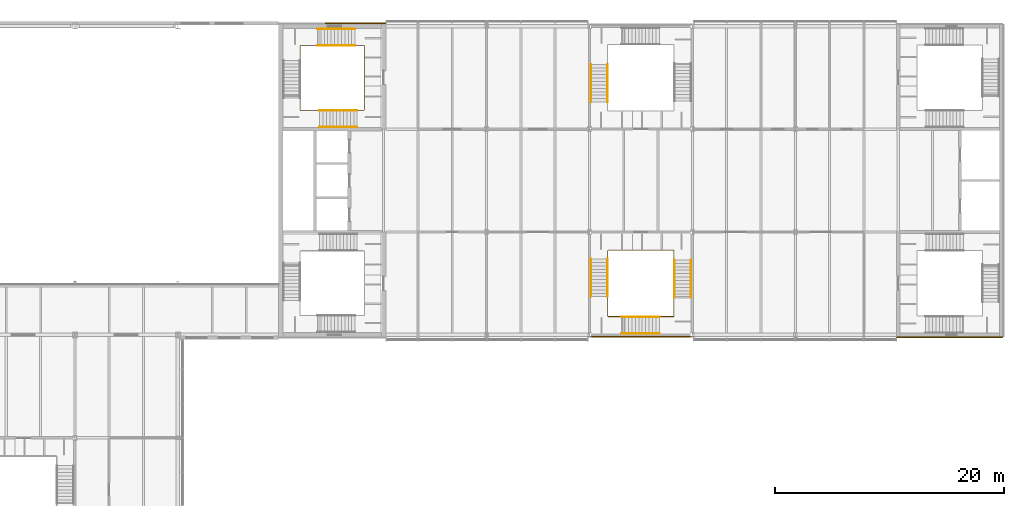
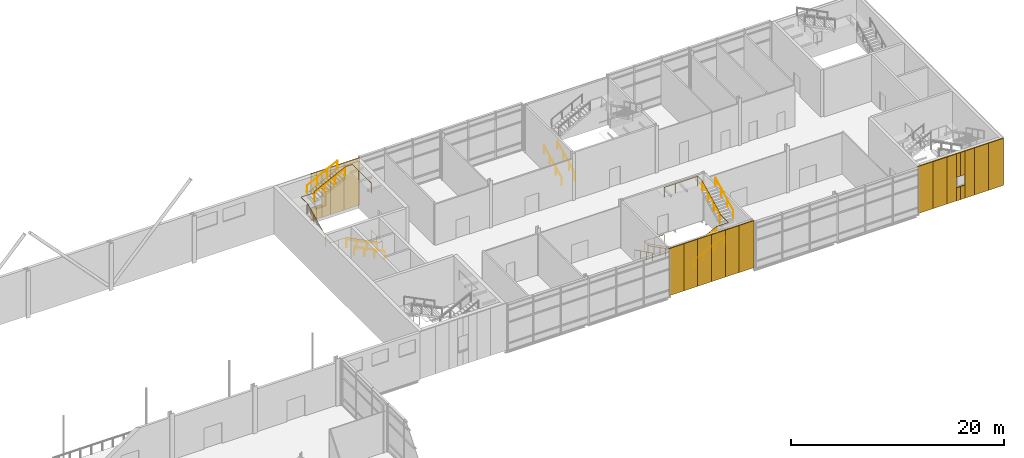
# One storey, part 54 of 56: 23 coverings, 14 railings.
"""IFC4 building model written with IfcOpenShell, lengths in metres."""

import ifcopenshell
import ifcopenshell.guid

model = None  # the IFC model being written
_history = None  # IfcOwnerHistory: only IFC2X3 demands one
_inside = {}  # id of a spatial element -> (the spatial element, [elements in it])
_under = {}  # id of a project, library or spatial element -> (it, [spatial elements below it])
_declared = {}  # id of a project -> (the project, [libraries it declares])
_typed = {}  # id of a type object -> (the type object, [elements of that type])
_made_of = {}  # id of a material, layer set ... -> (it, [elements and type objects made of it])


def new_model(schema):
    """Start an empty IFC model of exactly this schema.

    Asked for "IFC4X3", IfcOpenShell would pick the latest addendum, in which some entities
    have other attributes; the version numbers below select the first issue.
    IFC2X3 requires an IfcOwnerHistory on every rooted entity: one is made here for all.
    """
    global model, _history
    if schema == "IFC4X3":
        model = ifcopenshell.file(schema_version=(4, 3, 0, 0))
    else:
        model = ifcopenshell.file(schema=schema)
    _inside.clear()
    _under.clear()
    _declared.clear()
    _typed.clear()
    _made_of.clear()
    _history = None
    if model.schema == "IFC2X3":
        org = make("IfcOrganization", Name="unknown")
        user = make(
            "IfcPersonAndOrganization",
            ThePerson=make("IfcPerson", FamilyName="unknown"),
            TheOrganization=org,
        )
        app = make(
            "IfcApplication",
            ApplicationDeveloper=org,
            Version="unknown",
            ApplicationFullName="unknown",
            ApplicationIdentifier="unknown",
        )
        _history = make(
            "IfcOwnerHistory",
            OwningUser=user,
            OwningApplication=app,
            ChangeAction="ADDED",
            CreationDate=0,
        )
    return model


def make(cls, **values):
    """One entity of the class cls with the attributes given. An attribute that is None is left unset."""
    return model.create_entity(
        cls, **{name: value for name, value in values.items() if value is not None}
    )


def rooted(cls, **values):
    """An entity with a GlobalId (a new one), such as an element, a storey or a relation."""
    return make(cls, GlobalId=ifcopenshell.guid.new(), OwnerHistory=_history, **values)


def si_unit(unit_type, name, prefix=None):
    """IfcSIUnit, for example si_unit("LENGTHUNIT", "METRE", prefix="MILLI")."""
    return make("IfcSIUnit", UnitType=unit_type, Prefix=prefix, Name=name)


def assignment(units):
    """IfcUnitAssignment: the units of a project."""
    return None if units is None else make("IfcUnitAssignment", Units=units)


def point(xyz):
    """IfcCartesianPoint."""
    return None if xyz is None else make("IfcCartesianPoint", Coordinates=xyz)


def direction(xyz):
    """IfcDirection."""
    return None if xyz is None else make("IfcDirection", DirectionRatios=xyz)


def frame(location, z_axis=None, x_axis=None):
    """IfcAxis2Placement3D, a coordinate frame: its origin and axes. An axis left out is left unset."""
    return make(
        "IfcAxis2Placement3D",
        Location=point(location),
        Axis=direction(z_axis),
        RefDirection=direction(x_axis),
    )


def frame_2d(location, x_axis=None):
    """IfcAxis2Placement2D, a coordinate frame in the plane: its origin and x axis."""
    return make(
        "IfcAxis2Placement2D", Location=point(location), RefDirection=direction(x_axis)
    )


def origin():
    """The frame at (0, 0, 0) with its axes left unset."""
    return frame((0.0, 0.0, 0.0))


def origin_2d():
    """The frame at (0, 0) in the plane with its x axis left unset."""
    return frame_2d((0.0, 0.0))


def place(relative_to, where):
    """IfcLocalPlacement: puts the frame where relative to a parent placement (None: the world)."""
    return make(
        "IfcLocalPlacement", PlacementRelTo=relative_to, RelativePlacement=where
    )


def context(
    kind, dimensions, precision=None, world=None, true_north=None, identifier=None
):
    """IfcGeometricRepresentationContext, for example the 3D "Model" context."""
    return make(
        "IfcGeometricRepresentationContext",
        ContextIdentifier=identifier,
        ContextType=kind,
        CoordinateSpaceDimension=dimensions,
        Precision=precision,
        WorldCoordinateSystem=world,
        TrueNorth=true_north,
    )


def subcontext(parent, identifier, kind, view, scale=None):
    """IfcGeometricRepresentationSubContext, for example "Body" below "Model"."""
    return make(
        "IfcGeometricRepresentationSubContext",
        ContextIdentifier=identifier,
        ContextType=kind,
        ParentContext=parent,
        TargetScale=scale,
        TargetView=view,
    )


def project(units=None, contexts=None):
    """IfcProject with its units and contexts."""
    return rooted(
        "IfcProject",
        Name="project",
        RepresentationContexts=contexts,
        UnitsInContext=assignment(units),
    )


def spatial(cls, under=None, at=None, **own):
    """A site, building, storey or space (cls), placed at a placement, below another one or the project."""
    s = rooted(cls, ObjectPlacement=at, **own)
    if under is not None:
        _under.setdefault(under.id(), (under, []))[1].append(s)
    return s


def profile(cls, at=None, kind="AREA", **sizes):
    """A parametric profile (cls). Its sizes go by their IFC names, for example OverallWidth=200.0."""
    return make(cls, ProfileType=kind, Position=at, **sizes)


def rectangle(**sizes):
    """IfcRectangleProfileDef."""
    return profile("IfcRectangleProfileDef", **sizes)


def circle(**sizes):
    """IfcCircleProfileDef."""
    return profile("IfcCircleProfileDef", **sizes)


def extrude(swept, where, along, depth):
    """IfcExtrudedAreaSolid: the profile swept, set in the frame where, extruded along a direction by depth."""
    return make(
        "IfcExtrudedAreaSolid",
        SweptArea=swept,
        Position=where,
        ExtrudedDirection=direction(along),
        Depth=depth,
    )


def shape(context_of_items, identifier, shape_type, items):
    """IfcShapeRepresentation: the items that make up one representation, for example the "Body"."""
    return make(
        "IfcShapeRepresentation",
        ContextOfItems=context_of_items,
        RepresentationIdentifier=identifier,
        RepresentationType=shape_type,
        Items=items,
    )


def material(Name=None, Category=None):
    """IfcMaterial."""
    return make("IfcMaterial", Name=Name, Category=Category)


def layer(
    of_material, thickness, ventilated=None, Name=None, Category=None, Priority=None
):
    """IfcMaterialLayer: one layer of a wall or slab, of a material (None: an air gap)."""
    return make(
        "IfcMaterialLayer",
        Material=of_material,
        LayerThickness=thickness,
        IsVentilated=ventilated,
        Name=Name,
        Category=Category,
        Priority=Priority,
    )


def layer_set(layers, Name=None):
    """IfcMaterialLayerSet."""
    return make("IfcMaterialLayerSet", MaterialLayers=layers, LayerSetName=Name)


def made_of(thing, what):
    """Note that an element or type object is made of a material, layer set ...; save() writes the relation."""
    if what is not None:
        _made_of.setdefault(what.id(), (what, []))[1].append(thing)
    return thing


def type_object(cls, material=None, **own):
    """A type object (cls), such as IfcWallType, which elements share."""
    return made_of(rooted(cls, **own), material)


def element(
    cls,
    number,
    at=None,
    inside=None,
    cuts=None,
    type_object=None,
    material=None,
    context=None,
    identifier="Body",
    shape_type=None,
    held_by="IfcProductDefinitionShape",
    body=None,
    shapes=None,
    **own,
):
    """One element of the class cls, such as IfcWall. Its Tag is "e" and its number.

    at: its placement. inside: the storey or other place that contains it. cuts: it is an
    opening in that element (IfcRelVoidsElement). A single representation is given by context,
    identifier, shape_type and body (its items); several are given by shapes. held_by: the class
    of the entity that holds the representations. save() writes the other relations.
    """
    e = rooted(cls, Tag="e%d" % number, ObjectPlacement=at, **own)
    if body is not None:
        shapes = [shape(context, identifier, shape_type, body)]
    if shapes is not None:
        e.Representation = make(held_by, Representations=shapes)
    if inside is not None:
        _inside.setdefault(inside.id(), (inside, []))[1].append(e)
    if cuts is not None:
        rooted(
            "IfcRelVoidsElement", RelatingBuildingElement=cuts, RelatedOpeningElement=e
        )
    if type_object is not None:
        _typed.setdefault(type_object.id(), (type_object, []))[1].append(e)
    return made_of(e, material)


def aggregate(whole, parts):
    """IfcRelAggregates: a whole, such as a stair, and the parts it consists of."""
    return rooted("IfcRelAggregates", RelatingObject=whole, RelatedObjects=parts)


def save(model, path):
    """Write the relations noted so far, then the file.

    IfcRelAggregates (storeys below a building ...), IfcRelContainedInSpatialStructure (elements
    in a storey), IfcRelDefinesByType, IfcRelAssociatesMaterial and IfcRelDeclares: one each for
    every whole, place, type object, material and project.
    """
    for whole, parts in _under.values():
        aggregate(whole, parts)
    for where, things in _inside.values():
        rooted(
            "IfcRelContainedInSpatialStructure",
            RelatedElements=things,
            RelatingStructure=where,
        )
    for kind, things in _typed.values():
        rooted("IfcRelDefinesByType", RelatedObjects=things, RelatingType=kind)
    for what, things in _made_of.values():
        rooted("IfcRelAssociatesMaterial", RelatedObjects=things, RelatingMaterial=what)
    for by, libraries in _declared.values():
        rooted("IfcRelDeclares", RelatingContext=by, RelatedDefinitions=libraries)
    model.write(path)


model = new_model("IFC4")

# Units and contexts
model_context = context("Model", 3, precision=1e-05, world=origin(), true_north=direction((0.0, 1.0)))
body_context = subcontext(model_context, "Body", "Model", "MODEL_VIEW")
ifc_project = project(units=[si_unit("LENGTHUNIT", "METRE"), si_unit("AREAUNIT", "SQUARE_METRE"), si_unit("VOLUMEUNIT", "CUBIC_METRE"), si_unit("PLANEANGLEUNIT", "RADIAN"), si_unit("MASSUNIT", "GRAM", prefix="KILO")], contexts=[model_context])

# Site, building, storey
site_placement = place(None, origin())
site = spatial("IfcSite", under=ifc_project, at=site_placement, CompositionType="ELEMENT")
building_placement = place(site_placement, origin())
building = spatial("IfcBuilding", under=site, at=building_placement, Name="Azimuth Sports and Learning Centre", CompositionType="ELEMENT")
storey_placement = place(building_placement, frame((0.0, 0.0, 5.39990234375)))
storey = spatial("IfcBuildingStorey", under=building, at=storey_placement, Name="L01", CompositionType="ELEMENT", Elevation=5.39990234375)

# Coverings
ifc_material_1 = material(Name="Cladding panel")
ifc_layer = layer(ifc_material_1, 0.10009765625)
ifc_layer_set = layer_set([ifc_layer], Name="Cladding panel")
covering_type = type_object("IfcCoveringType", Name="Cladding panel 100", PredefinedType="CLADDING", material=ifc_layer_set)
covering_1_placement = place(storey_placement, frame((135.699951171875, 89.85009765625, 0.000244140625), z_axis=(0.0, 0.0, 1.0), x_axis=(1.0, 0.0, 0.0)))
element("IfcCovering", 1, at=covering_1_placement, inside=storey, type_object=covering_type, Name="Cladding panel S-EM1 L01 1", PredefinedType="CLADDING", context=body_context, shape_type="SweptSolid", body=[
    extrude(rectangle(XDim=1.60009765625, YDim=0.10009765625, at=origin_2d()), origin(), (0.0, 0.0, 1.0), 5.39990234375),
])
for number, where, z_axis, x_axis, name in (
    (2, (137.25, 89.85009765625, 0.000244140625), (0.0, 0.0, 1.0), (1.0, 0.0, 0.0), "Cladding panel S-EM1 L01 2"),
    (3, (138.75, 89.85009765625, 0.000244140625), (0.0, 0.0, 1.0), (1.0, 0.0, 0.0), "Cladding panel S-EM1 L01 3"),
    (4, (140.25, 89.85009765625, 0.000244140625), (0.0, 0.0, 1.0), (1.0, 0.0, 0.0), "Cladding panel S-EM1 L01 4"),
    (5, (141.75, 89.85009765625, 0.000244140625), (0.0, 0.0, 1.0), (1.0, 0.0, 0.0), "Cladding panel S-EM1 L01 5"),
):
    element("IfcCovering", number, at=place(storey_placement, frame(where, z_axis=z_axis, x_axis=x_axis)), inside=storey, type_object=covering_type, Name=name, PredefinedType="CLADDING", context=body_context, shape_type="SweptSolid", body=[
        extrude(rectangle(XDim=1.5, YDim=0.10009765625, at=origin_2d()), origin(), (0.0, 0.0, 1.0), 5.39990234375),
    ])
covering_2_placement = place(storey_placement, frame((143.300048828125, 89.85009765625, 0.000244140625), z_axis=(0.0, 0.0, 1.0), x_axis=(1.0, 0.0, 0.0)))
element("IfcCovering", 6, at=covering_2_placement, inside=storey, type_object=covering_type, Name="Cladding panel S-EM1 L01 6", PredefinedType="CLADDING", context=body_context, shape_type="SweptSolid", body=[
    extrude(rectangle(XDim=1.60009765625, YDim=0.10009765625, at=origin_2d()), origin(), (0.0, 0.0, 1.0), 5.39990234375),
])
covering_3_placement = place(storey_placement, frame((162.675048828125, 89.800048828125, 0.000244140625), z_axis=(0.0, 0.0, 1.0), x_axis=(1.0, 0.0, 0.0)))
element("IfcCovering", 7, at=covering_3_placement, inside=storey, type_object=covering_type, Name="Cladding panel S-END E L01 1", PredefinedType="CLADDING", context=body_context, shape_type="SweptSolid", body=[
    extrude(rectangle(XDim=1.64990234375, YDim=0.10009765625, at=origin_2d()), origin(), (0.0, 0.0, 1.0), 5.39990234375),
])
covering_4_placement = place(storey_placement, frame((164.25, 89.800048828125, 0.000244140625), z_axis=(0.0, 0.0, 1.0), x_axis=(1.0, 0.0, 0.0)))
element("IfcCovering", 8, at=covering_4_placement, inside=storey, type_object=covering_type, Name="Cladding panel S-END E L01 2", PredefinedType="CLADDING", context=body_context, shape_type="SweptSolid", body=[
    extrude(rectangle(XDim=1.5, YDim=0.10009765625, at=origin_2d()), origin(), (0.0, 0.0, 1.0), 5.39990234375),
])
covering_5_placement = place(storey_placement, frame((165.52490234375, 89.800048828125, 0.000244140625), z_axis=(0.0, 0.0, 1.0), x_axis=(1.0, 0.0, 0.0)))
element("IfcCovering", 9, at=covering_5_placement, inside=storey, type_object=covering_type, Name="Cladding panel S-END E L01 3", PredefinedType="CLADDING", context=body_context, shape_type="SweptSolid", body=[
    extrude(rectangle(XDim=1.050048828125, YDim=0.10009765625, at=origin_2d()), origin(), (0.0, 0.0, 1.0), 5.39990234375),
])
covering_6_placement = place(storey_placement, frame((166.27490234375, 89.800048828125, 0.0), z_axis=(0.0, 0.0, 1.0), x_axis=(1.0, 0.0, 0.0)))
element("IfcCovering", 10, at=covering_6_placement, inside=storey, type_object=covering_type, Name="Cladding panel S-END E L01 4", PredefinedType="CLADDING", context=body_context, shape_type="SweptSolid", body=[
    extrude(rectangle(XDim=0.449951171875, YDim=0.10009765625, at=origin_2d()), origin(), (0.0, 0.0, 1.0), 1.5),
])
covering_7_placement = place(storey_placement, frame((166.27490234375, 89.800048828125, 2.7001953125), z_axis=(0.0, 0.0, 1.0), x_axis=(1.0, 0.0, 0.0)))
element("IfcCovering", 11, at=covering_7_placement, inside=storey, type_object=covering_type, Name="Cladding panel S-END E L01 5", PredefinedType="CLADDING", context=body_context, shape_type="SweptSolid", body=[
    extrude(rectangle(XDim=0.449951171875, YDim=0.10009765625, at=origin_2d()), origin(), (0.0, 0.0, 1.0), 2.699951171875),
])
covering_8_placement = place(storey_placement, frame((167.47509765625, 89.800048828125, 0.000244140625), z_axis=(0.0, 0.0, 1.0), x_axis=(1.0, 0.0, 0.0)))
element("IfcCovering", 12, at=covering_8_placement, inside=storey, type_object=covering_type, Name="Cladding panel S-END E L01 6", PredefinedType="CLADDING", context=body_context, shape_type="SweptSolid", body=[
    extrude(rectangle(XDim=1.050048828125, YDim=0.10009765625, at=origin_2d()), origin(), (0.0, 0.0, 1.0), 5.39990234375),
])
covering_9_placement = place(storey_placement, frame((166.72509765625, 89.800048828125, 0.0), z_axis=(0.0, 0.0, 1.0), x_axis=(1.0, 0.0, 0.0)))
element("IfcCovering", 13, at=covering_9_placement, inside=storey, type_object=covering_type, Name="Cladding panel S-END E L01 7", PredefinedType="CLADDING", context=body_context, shape_type="SweptSolid", body=[
    extrude(rectangle(XDim=0.449951171875, YDim=0.10009765625, at=origin_2d()), origin(), (0.0, 0.0, 1.0), 1.5),
])
covering_10_placement = place(storey_placement, frame((166.72509765625, 89.800048828125, 2.7001953125), z_axis=(0.0, 0.0, 1.0), x_axis=(1.0, 0.0, 0.0)))
element("IfcCovering", 14, at=covering_10_placement, inside=storey, type_object=covering_type, Name="Cladding panel S-END E L01 8", PredefinedType="CLADDING", context=body_context, shape_type="SweptSolid", body=[
    extrude(rectangle(XDim=0.449951171875, YDim=0.10009765625, at=origin_2d()), origin(), (0.0, 0.0, 1.0), 2.699951171875),
])
covering_11_placement = place(storey_placement, frame((168.75, 89.800048828125, 0.000244140625), z_axis=(0.0, 0.0, 1.0), x_axis=(1.0, 0.0, 0.0)))
element("IfcCovering", 15, at=covering_11_placement, inside=storey, type_object=covering_type, Name="Cladding panel S-END E L01 9", PredefinedType="CLADDING", context=body_context, shape_type="SweptSolid", body=[
    extrude(rectangle(XDim=1.5, YDim=0.10009765625, at=origin_2d()), origin(), (0.0, 0.0, 1.0), 5.39990234375),
])
covering_12_placement = place(storey_placement, frame((170.324951171875, 89.800048828125, 0.000244140625), z_axis=(0.0, 0.0, 1.0), x_axis=(1.0, 0.0, 0.0)))
element("IfcCovering", 16, at=covering_12_placement, inside=storey, type_object=covering_type, Name="Cladding panel S-END E L01 10", PredefinedType="CLADDING", context=body_context, shape_type="SweptSolid", body=[
    extrude(rectangle(XDim=1.64990234375, YDim=0.10009765625, at=origin_2d()), origin(), (0.0, 0.0, 1.0), 5.39990234375),
])
covering_13_placement = place(storey_placement, frame((116.35009765625, 117.25, 0.000244140625), z_axis=(0.0, 0.0, 1.0), x_axis=(-1.0, 0.0, 0.0)))
element("IfcCovering", 17, at=covering_13_placement, inside=storey, type_object=covering_type, Name="Cladding panel N-CORE E L01 1", PredefinedType="CLADDING", context=body_context, shape_type="SweptSolid", body=[
    extrude(rectangle(XDim=1.699951171875, YDim=0.10009765625, at=origin_2d()), origin(), (0.0, 0.0, 1.0), 5.39990234375),
])
covering_14_placement = place(storey_placement, frame((114.75, 117.25, 0.000244140625), z_axis=(0.0, 0.0, 1.0), x_axis=(-1.0, 0.0, 0.0)))
element("IfcCovering", 18, at=covering_14_placement, inside=storey, type_object=covering_type, Name="Cladding panel N-CORE E L01 2", PredefinedType="CLADDING", context=body_context, shape_type="SweptSolid", body=[
    extrude(rectangle(XDim=1.5, YDim=0.10009765625, at=origin_2d()), origin(), (0.0, 0.0, 1.0), 5.39990234375),
])
covering_15_placement = place(storey_placement, frame((113.550048828125, 117.25, 0.000244140625), z_axis=(0.0, 0.0, 1.0), x_axis=(-1.0, 0.0, 0.0)))
element("IfcCovering", 19, at=covering_15_placement, inside=storey, type_object=covering_type, Name="Cladding panel N-CORE E L01 3", PredefinedType="CLADDING", context=body_context, shape_type="SweptSolid", body=[
    extrude(rectangle(XDim=0.89990234375, YDim=0.10009765625, at=origin_2d()), origin(), (0.0, 0.0, 1.0), 5.39990234375),
])
covering_16_placement = place(storey_placement, frame((112.800048828125, 117.25, 0.0), z_axis=(0.0, 0.0, 1.0), x_axis=(-1.0, 0.0, 0.0)))
element("IfcCovering", 20, at=covering_16_placement, inside=storey, type_object=covering_type, Name="Cladding panel N-CORE E L01 4", PredefinedType="CLADDING", context=body_context, shape_type="SweptSolid", body=[
    extrude(rectangle(XDim=0.60009765625, YDim=0.10009765625, at=origin_2d()), origin(), (0.0, 0.0, 1.0), 1.5),
])
covering_17_placement = place(storey_placement, frame((112.800048828125, 117.25, 3.300048828125), z_axis=(0.0, 0.0, 1.0), x_axis=(-1.0, 0.0, 0.0)))
element("IfcCovering", 21, at=covering_17_placement, inside=storey, type_object=covering_type, Name="Cladding panel N-CORE E L01 5", PredefinedType="CLADDING", context=body_context, shape_type="SweptSolid", body=[
    extrude(rectangle(XDim=0.60009765625, YDim=0.10009765625, at=origin_2d()), origin(), (0.0, 0.0, 1.0), 2.10009765625),
])
covering_18_placement = place(storey_placement, frame((112.199951171875, 117.25, 0.0), z_axis=(0.0, 0.0, 1.0), x_axis=(-1.0, 0.0, 0.0)))
element("IfcCovering", 22, at=covering_18_placement, inside=storey, type_object=covering_type, Name="Cladding panel N-CORE E L01 7", PredefinedType="CLADDING", context=body_context, shape_type="SweptSolid", body=[
    extrude(rectangle(XDim=0.60009765625, YDim=0.10009765625, at=origin_2d()), origin(), (0.0, 0.0, 1.0), 1.5),
])
covering_19_placement = place(storey_placement, frame((112.199951171875, 117.25, 3.300048828125), z_axis=(0.0, 0.0, 1.0), x_axis=(-1.0, 0.0, 0.0)))
element("IfcCovering", 23, at=covering_19_placement, inside=storey, type_object=covering_type, Name="Cladding panel N-CORE E L01 8", PredefinedType="CLADDING", context=body_context, shape_type="SweptSolid", body=[
    extrude(rectangle(XDim=0.60009765625, YDim=0.10009765625, at=origin_2d()), origin(), (0.0, 0.0, 1.0), 2.10009765625),
])

# Railings
ifc_material_2 = material(Name="Stainless steel", Category="steel")
railing_type_1 = type_object("IfcRailingType", Name="Stair guard 1100", PredefinedType="GUARDRAIL", material=ifc_material_2)
railing_1_placement = place(storey_placement, frame((115.2900390625, 111.75, 0.0)))
element("IfcRailing", 24, at=railing_1_placement, inside=storey, type_object=railing_type_1, Name="Guard E2 L01 well", PredefinedType="GUARDRAIL", context=body_context, shape_type="SweptSolid", body=[
    extrude(circle(Radius=0.02392578125, at=origin_2d()), frame((0.0, 0.0, 1.076171875), z_axis=(0.0, -1.0, 0.0), x_axis=(1.0, 0.0, 0.0)), (0.0, 0.0, 1.0), 2.090087890625),
    extrude(circle(Radius=0.02392578125, at=origin_2d()), frame((0.0, -2.090087890625, 1.076171875), z_axis=(-1.0, 0.0, 0.0), x_axis=(0.0, -1.0, 0.0)), (0.0, 0.0, 1.0), 0.60009765625),
    extrude(circle(Radius=0.02392578125, at=origin_2d()), frame((-0.60009765625, -2.090087890625, 1.076171875), z_axis=(0.0, 0.0, 1.0), x_axis=(1.0, 0.0, 0.0)), (0.0, 0.0, 1.0), 0.150146484375),
    extrude(circle(Radius=0.02392578125, at=origin_2d()), frame((-0.60009765625, -2.090087890625, 1.22607421875), z_axis=(-0.894440424912, 0.0, 0.447187126696), x_axis=(0.0, -1.0, 0.0)), (0.0, 0.0, 1.0), 3.689453125),
    extrude(circle(Radius=0.02392578125, at=origin_2d()), frame((-3.900146484375, -2.090087890625, 2.8759765625), z_axis=(-1.0, 0.0, 0.0), x_axis=(0.0, -1.0, 0.0)), (0.0, 0.0, 1.0), 1.679931640625),
    extrude(circle(Radius=0.02392578125, at=origin_2d()), frame((-5.580078125, -2.090087890625, 2.8759765625), z_axis=(0.0, 1.0, 0.0), x_axis=(-1.0, 0.0, 0.0)), (0.0, 0.0, 1.0), 1.050048828125),
    extrude(circle(Radius=0.02392578125, at=origin_2d()), frame((-5.580078125, -1.0400390625, 2.8759765625), z_axis=(0.0, 0.0, 1.0), x_axis=(1.0, 0.0, 0.0)), (0.0, 0.0, 1.0), 0.150146484375),
    extrude(circle(Radius=0.02392578125, at=origin_2d()), frame((-5.580078125, -1.0400390625, 3.0263671875), z_axis=(0.0, 0.894440424912, 0.447187126696), x_axis=(-1.0, 0.0, 0.0)), (0.0, 0.0, 1.0), 3.689453125),
    extrude(circle(Radius=0.02392578125, at=origin_2d()), frame((-5.580078125, 2.260009765625, 4.67626953125), z_axis=(0.0, 1.0, 0.0), x_axis=(-1.0, 0.0, 0.0)), (0.0, 0.0, 1.0), 1.280029296875),
    extrude(circle(Radius=0.02392578125, at=origin_2d()), frame((-5.580078125, 3.5400390625, 4.67626953125), z_axis=(1.0, 0.0, 0.0), x_axis=(0.0, 1.0, 0.0)), (0.0, 0.0, 1.0), 1.5),
    extrude(circle(Radius=0.02392578125, at=origin_2d()), frame((-4.080078125, 3.5400390625, 4.67626953125), z_axis=(0.0, 0.0, 1.0), x_axis=(1.0, 0.0, 0.0)), (0.0, 0.0, 1.0), 0.14990234375),
    extrude(circle(Radius=0.02392578125, at=origin_2d()), frame((-4.080078125, 3.5400390625, 4.826171875), z_axis=(0.894413956696, 0.0, 0.447240063129), x_axis=(0.0, 1.0, 0.0)), (0.0, 0.0, 1.0), 3.689697265625),
    extrude(circle(Radius=0.02392578125, at=origin_2d()), frame((-0.780029296875, 3.5400390625, 6.47607421875), z_axis=(1.0, 0.0, 0.0), x_axis=(0.0, 1.0, 0.0)), (0.0, 0.0, 1.0), 0.780029296875),
    extrude(circle(Radius=0.02392578125, at=origin_2d()), frame((0.0, 3.5400390625, 6.47607421875), z_axis=(0.0, -1.0, 0.0), x_axis=(1.0, 0.0, 0.0)), (0.0, 0.0, 1.0), 3.5400390625),
    extrude(circle(Radius=0.01611328125, at=origin_2d()), origin(), (0.0, 0.0, 1.0), 1.052001953125),
    extrude(circle(Radius=0.01611328125, at=origin_2d()), frame((0.0, -1.044921875, 0.0)), (0.0, 0.0, 1.0), 1.052001953125),
    extrude(circle(Radius=0.01611328125, at=origin_2d()), frame((0.0, -2.090087890625, 0.0)), (0.0, 0.0, 1.0), 1.052001953125),
    extrude(circle(Radius=0.01611328125, at=origin_2d()), frame((-0.60009765625, -2.090087890625, 0.0)), (0.0, 0.0, 1.0), 1.052001953125),
    extrude(circle(Radius=0.01611328125, at=origin_2d()), frame((-0.60009765625, -2.090087890625, 0.150146484375)), (0.0, 0.0, 1.0), 1.052001953125),
    extrude(circle(Radius=0.01611328125, at=origin_2d()), frame((-1.7001953125, -2.090087890625, 0.7001953125)), (0.0, 0.0, 1.0), 1.052001953125),
    extrude(circle(Radius=0.01611328125, at=origin_2d()), frame((-2.800048828125, -2.090087890625, 1.25)), (0.0, 0.0, 1.0), 1.052001953125),
    extrude(circle(Radius=0.01611328125, at=origin_2d()), frame((-3.900146484375, -2.090087890625, 1.800048828125)), (0.0, 0.0, 1.0), 1.052001953125),
    extrude(circle(Radius=0.01611328125, at=origin_2d()), frame((-4.740234375, -2.090087890625, 1.800048828125)), (0.0, 0.0, 1.0), 1.052001953125),
    extrude(circle(Radius=0.01611328125, at=origin_2d()), frame((-5.580078125, -2.090087890625, 1.800048828125)), (0.0, 0.0, 1.0), 1.052001953125),
    extrude(circle(Radius=0.01611328125, at=origin_2d()), frame((-5.580078125, -1.0400390625, 1.800048828125)), (0.0, 0.0, 1.0), 1.052001953125),
    extrude(circle(Radius=0.01611328125, at=origin_2d()), frame((-5.580078125, -1.0400390625, 1.9501953125)), (0.0, 0.0, 1.0), 1.052001953125),
    extrude(circle(Radius=0.01611328125, at=origin_2d()), frame((-5.580078125, 0.06005859375, 2.500244140625)), (0.0, 0.0, 1.0), 1.052001953125),
    extrude(circle(Radius=0.01611328125, at=origin_2d()), frame((-5.580078125, 1.159912109375, 3.050048828125)), (0.0, 0.0, 1.0), 1.052001953125),
    extrude(circle(Radius=0.01611328125, at=origin_2d()), frame((-5.580078125, 2.260009765625, 3.60009765625)), (0.0, 0.0, 1.0), 1.052001953125),
    extrude(circle(Radius=0.01611328125, at=origin_2d()), frame((-5.580078125, 3.5400390625, 3.60009765625)), (0.0, 0.0, 1.0), 1.052001953125),
    extrude(circle(Radius=0.01611328125, at=origin_2d()), frame((-4.080078125, 3.5400390625, 3.60009765625)), (0.0, 0.0, 1.0), 1.052001953125),
    extrude(circle(Radius=0.01611328125, at=origin_2d()), frame((-4.080078125, 3.5400390625, 3.75)), (0.0, 0.0, 1.0), 1.052001953125),
    extrude(circle(Radius=0.01611328125, at=origin_2d()), frame((-2.97998046875, 3.5400390625, 4.300048828125)), (0.0, 0.0, 1.0), 1.052001953125),
    extrude(circle(Radius=0.01611328125, at=origin_2d()), frame((-1.880126953125, 3.5400390625, 4.85009765625)), (0.0, 0.0, 1.0), 1.052001953125),
    extrude(circle(Radius=0.01611328125, at=origin_2d()), frame((-0.780029296875, 3.5400390625, 5.400146484375)), (0.0, 0.0, 1.0), 1.052001953125),
    extrude(circle(Radius=0.01611328125, at=origin_2d()), frame((0.0, 3.5400390625, 5.400146484375)), (0.0, 0.0, 1.0), 1.052001953125),
    extrude(circle(Radius=0.01611328125, at=origin_2d()), frame((0.0, 2.360107421875, 5.400146484375)), (0.0, 0.0, 1.0), 1.052001953125),
    extrude(circle(Radius=0.01611328125, at=origin_2d()), frame((0.0, 1.179931640625, 5.400146484375)), (0.0, 0.0, 1.0), 1.052001953125),
    extrude(circle(Radius=0.01611328125, at=origin_2d()), frame((0.0, 0.0, 5.400146484375)), (0.0, 0.0, 1.0), 1.052001953125),
])
railing_2_placement = place(storey_placement, frame((138.75, 97.389892578125, 0.0)))
element("IfcRailing", 25, at=railing_2_placement, inside=storey, type_object=railing_type_1, Name="Guard EM1 L01 well", PredefinedType="GUARDRAIL", context=body_context, shape_type="SweptSolid", body=[
    extrude(circle(Radius=0.02392578125, at=origin_2d()), frame((0.0, 0.0, 1.076171875), z_axis=(-1.0, 0.0, 0.0), x_axis=(0.0, -1.0, 0.0)), (0.0, 0.0, 1.0), 2.139892578125),
    extrude(circle(Radius=0.02392578125, at=origin_2d()), frame((-2.139892578125, 0.0, 1.076171875), z_axis=(0.0, -1.0, 0.0), x_axis=(1.0, 0.0, 0.0)), (0.0, 0.0, 1.0), 0.75),
    extrude(circle(Radius=0.02392578125, at=origin_2d()), frame((-2.139892578125, -0.75, 1.076171875), z_axis=(0.0, 0.0, 1.0), x_axis=(1.0, 0.0, 0.0)), (0.0, 0.0, 1.0), 0.150146484375),
    extrude(circle(Radius=0.02392578125, at=origin_2d()), frame((-2.139892578125, -0.75, 1.22607421875), z_axis=(0.0, -0.894427191, 0.4472135955), x_axis=(1.0, 0.0, 0.0)), (0.0, 0.0, 1.0), 3.689208984375),
    extrude(circle(Radius=0.02392578125, at=origin_2d()), frame((-2.139892578125, -4.0498046875, 2.8759765625), z_axis=(0.0, -1.0, 0.0), x_axis=(1.0, 0.0, 0.0)), (0.0, 0.0, 1.0), 1.72998046875),
    extrude(circle(Radius=0.02392578125, at=origin_2d()), frame((-2.139892578125, -5.77978515625, 2.8759765625), z_axis=(1.0, 0.0, 0.0), x_axis=(0.0, 1.0, 0.0)), (0.0, 0.0, 1.0), 1.199951171875),
    extrude(circle(Radius=0.02392578125, at=origin_2d()), frame((-0.93994140625, -5.77978515625, 2.8759765625), z_axis=(0.0, 0.0, 1.0), x_axis=(1.0, 0.0, 0.0)), (0.0, 0.0, 1.0), 0.150146484375),
    extrude(circle(Radius=0.02392578125, at=origin_2d()), frame((-0.93994140625, -5.77978515625, 3.0263671875), z_axis=(0.894440424912, 0.0, 0.447187126696), x_axis=(0.0, 1.0, 0.0)), (0.0, 0.0, 1.0), 3.689453125),
    extrude(circle(Radius=0.02392578125, at=origin_2d()), frame((2.360107421875, -5.77978515625, 4.67626953125), z_axis=(1.0, 0.0, 0.0), x_axis=(0.0, 1.0, 0.0)), (0.0, 0.0, 1.0), 1.27978515625),
    extrude(circle(Radius=0.02392578125, at=origin_2d()), frame((3.639892578125, -5.77978515625, 4.67626953125), z_axis=(0.0, 1.0, 0.0), x_axis=(-1.0, 0.0, 0.0)), (0.0, 0.0, 1.0), 1.64990234375),
    extrude(circle(Radius=0.02392578125, at=origin_2d()), frame((3.639892578125, -4.1298828125, 4.67626953125), z_axis=(0.0, 0.0, 1.0), x_axis=(1.0, 0.0, 0.0)), (0.0, 0.0, 1.0), 0.14990234375),
    extrude(circle(Radius=0.02392578125, at=origin_2d()), frame((3.639892578125, -4.1298828125, 4.826171875), z_axis=(0.0, 0.894413956696, 0.447240063129), x_axis=(-1.0, 0.0, 0.0)), (0.0, 0.0, 1.0), 3.689697265625),
    extrude(circle(Radius=0.02392578125, at=origin_2d()), frame((3.639892578125, -0.829833984375, 6.47607421875), z_axis=(0.0, 1.0, 0.0), x_axis=(-1.0, 0.0, 0.0)), (0.0, 0.0, 1.0), 0.829833984375),
    extrude(circle(Radius=0.02392578125, at=origin_2d()), frame((3.639892578125, 0.0, 6.47607421875), z_axis=(-1.0, 0.0, 0.0), x_axis=(0.0, -1.0, 0.0)), (0.0, 0.0, 1.0), 3.639892578125),
    extrude(circle(Radius=0.01611328125, at=origin_2d()), origin(), (0.0, 0.0, 1.0), 1.052001953125),
    extrude(circle(Radius=0.01611328125, at=origin_2d()), frame((-1.06982421875, 0.0, 0.0)), (0.0, 0.0, 1.0), 1.052001953125),
    extrude(circle(Radius=0.01611328125, at=origin_2d()), frame((-2.139892578125, 0.0, 0.0)), (0.0, 0.0, 1.0), 1.052001953125),
    extrude(circle(Radius=0.01611328125, at=origin_2d()), frame((-2.139892578125, -0.75, 0.0)), (0.0, 0.0, 1.0), 1.052001953125),
    extrude(circle(Radius=0.01611328125, at=origin_2d()), frame((-2.139892578125, -0.75, 0.150146484375)), (0.0, 0.0, 1.0), 1.052001953125),
    extrude(circle(Radius=0.01611328125, at=origin_2d()), frame((-2.139892578125, -1.849853515625, 0.7001953125)), (0.0, 0.0, 1.0), 1.052001953125),
    extrude(circle(Radius=0.01611328125, at=origin_2d()), frame((-2.139892578125, -2.949951171875, 1.25)), (0.0, 0.0, 1.0), 1.052001953125),
    extrude(circle(Radius=0.01611328125, at=origin_2d()), frame((-2.139892578125, -4.0498046875, 1.800048828125)), (0.0, 0.0, 1.0), 1.052001953125),
    extrude(circle(Radius=0.01611328125, at=origin_2d()), frame((-2.139892578125, -4.914794921875, 1.800048828125)), (0.0, 0.0, 1.0), 1.052001953125),
    extrude(circle(Radius=0.01611328125, at=origin_2d()), frame((-2.139892578125, -5.77978515625, 1.800048828125)), (0.0, 0.0, 1.0), 1.052001953125),
    extrude(circle(Radius=0.01611328125, at=origin_2d()), frame((-0.93994140625, -5.77978515625, 1.800048828125)), (0.0, 0.0, 1.0), 1.052001953125),
    extrude(circle(Radius=0.01611328125, at=origin_2d()), frame((-0.93994140625, -5.77978515625, 1.9501953125)), (0.0, 0.0, 1.0), 1.052001953125),
    extrude(circle(Radius=0.01611328125, at=origin_2d()), frame((0.16015625, -5.77978515625, 2.500244140625)), (0.0, 0.0, 1.0), 1.052001953125),
    extrude(circle(Radius=0.01611328125, at=origin_2d()), frame((1.260009765625, -5.77978515625, 3.050048828125)), (0.0, 0.0, 1.0), 1.052001953125),
    extrude(circle(Radius=0.01611328125, at=origin_2d()), frame((2.360107421875, -5.77978515625, 3.60009765625)), (0.0, 0.0, 1.0), 1.052001953125),
    extrude(circle(Radius=0.01611328125, at=origin_2d()), frame((3.639892578125, -5.77978515625, 3.60009765625)), (0.0, 0.0, 1.0), 1.052001953125),
    extrude(circle(Radius=0.01611328125, at=origin_2d()), frame((3.639892578125, -4.954833984375, 3.60009765625)), (0.0, 0.0, 1.0), 1.052001953125),
    extrude(circle(Radius=0.01611328125, at=origin_2d()), frame((3.639892578125, -4.1298828125, 3.60009765625)), (0.0, 0.0, 1.0), 1.052001953125),
    extrude(circle(Radius=0.01611328125, at=origin_2d()), frame((3.639892578125, -4.1298828125, 3.75)), (0.0, 0.0, 1.0), 1.052001953125),
    extrude(circle(Radius=0.01611328125, at=origin_2d()), frame((3.639892578125, -3.02978515625, 4.300048828125)), (0.0, 0.0, 1.0), 1.052001953125),
    extrude(circle(Radius=0.01611328125, at=origin_2d()), frame((3.639892578125, -1.929931640625, 4.85009765625)), (0.0, 0.0, 1.0), 1.052001953125),
    extrude(circle(Radius=0.01611328125, at=origin_2d()), frame((3.639892578125, -0.829833984375, 5.400146484375)), (0.0, 0.0, 1.0), 1.052001953125),
    extrude(circle(Radius=0.01611328125, at=origin_2d()), frame((3.639892578125, 0.0, 5.400146484375)), (0.0, 0.0, 1.0), 1.052001953125),
    extrude(circle(Radius=0.01611328125, at=origin_2d()), frame((2.426513671875, 0.0, 5.400146484375)), (0.0, 0.0, 1.0), 1.052001953125),
    extrude(circle(Radius=0.01611328125, at=origin_2d()), frame((1.21337890625, 0.0, 5.400146484375)), (0.0, 0.0, 1.0), 1.052001953125),
    extrude(circle(Radius=0.01611328125, at=origin_2d()), frame((0.0, 0.0, 5.400146484375)), (0.0, 0.0, 1.0), 1.052001953125),
])
ifc_material_3 = material(Name="Stainless steel", Category="steel")
railing_type_2 = type_object("IfcRailingType", Name="Stair handrail 42", PredefinedType="HANDRAIL", material=ifc_material_3)
for number, where, name in (
    (26, (114.68994140625, 109.6298828125, 0.150146484375), "Handrail E2 L01 flight 1 inner"),
    (27, (114.68994140625, 108.18994140625, 0.150146484375), "Handrail E2 L01 flight 1 outer"),
):
    element("IfcRailing", number, at=place(storey_placement, frame(where)), inside=storey, type_object=railing_type_2, Name=name, PredefinedType="HANDRAIL", context=body_context, shape_type="SweptSolid", body=[
        extrude(circle(Radius=0.02099609375, at=origin_2d()), frame((0.0, 0.0, 0.87890625), z_axis=(-0.894440424912, 0.0, 0.447187126696), x_axis=(0.0, -1.0, 0.0)), (0.0, 0.0, 1.0), 3.689453125),
        extrude(circle(Radius=0.01611328125, at=origin_2d()), origin(), (0.0, 0.0, 1.0), 0.85791015625),
        extrude(circle(Radius=0.01611328125, at=origin_2d()), frame((-1.10009765625, 0.0, 0.550048828125)), (0.0, 0.0, 1.0), 0.85791015625),
        extrude(circle(Radius=0.01611328125, at=origin_2d()), frame((-2.199951171875, 0.0, 1.099853515625)), (0.0, 0.0, 1.0), 0.85791015625),
        extrude(circle(Radius=0.01611328125, at=origin_2d()), frame((-3.300048828125, 0.0, 1.64990234375)), (0.0, 0.0, 1.0), 0.85791015625),
    ])
for number, where, name in (
    (28, (111.2099609375, 115.320068359375, 3.75), "Handrail E2 L01 flight 3 inner"),
    (29, (111.2099609375, 116.760009765625, 3.75), "Handrail E2 L01 flight 3 outer"),
):
    element("IfcRailing", number, at=place(storey_placement, frame(where)), inside=storey, type_object=railing_type_2, Name=name, PredefinedType="HANDRAIL", context=body_context, shape_type="SweptSolid", body=[
        extrude(circle(Radius=0.02099609375, at=origin_2d()), frame((0.0, 0.0, 0.87890625), z_axis=(0.894413956696, 0.0, 0.447240063129), x_axis=(0.0, 1.0, 0.0)), (0.0, 0.0, 1.0), 3.689697265625),
        extrude(circle(Radius=0.01611328125, at=origin_2d()), origin(), (0.0, 0.0, 1.0), 0.85791015625),
        extrude(circle(Radius=0.01611328125, at=origin_2d()), frame((1.10009765625, 0.0, 0.550048828125)), (0.0, 0.0, 1.0), 0.85791015625),
        extrude(circle(Radius=0.01611328125, at=origin_2d()), frame((2.199951171875, 0.0, 1.10009765625)), (0.0, 0.0, 1.0), 0.85791015625),
        extrude(circle(Radius=0.01611328125, at=origin_2d()), frame((3.300048828125, 0.0, 1.650146484375)), (0.0, 0.0, 1.0), 0.85791015625),
    ])
for number, where, name in (
    (30, (136.580078125, 96.639892578125, 0.150146484375), "Handrail EM1 L01 flight 1 inner"),
    (31, (135.139892578125, 96.639892578125, 0.150146484375), "Handrail EM1 L01 flight 1 outer"),
):
    element("IfcRailing", number, at=place(storey_placement, frame(where)), inside=storey, type_object=railing_type_2, Name=name, PredefinedType="HANDRAIL", context=body_context, shape_type="SweptSolid", body=[
        extrude(circle(Radius=0.02099609375, at=origin_2d()), frame((0.0, 0.0, 0.87890625), z_axis=(0.0, -0.894427191, 0.4472135955), x_axis=(1.0, 0.0, 0.0)), (0.0, 0.0, 1.0), 3.689208984375),
        extrude(circle(Radius=0.01611328125, at=origin_2d()), origin(), (0.0, 0.0, 1.0), 0.85791015625),
        extrude(circle(Radius=0.01611328125, at=origin_2d()), frame((0.0, -1.099853515625, 0.550048828125)), (0.0, 0.0, 1.0), 0.85791015625),
        extrude(circle(Radius=0.01611328125, at=origin_2d()), frame((0.0, -2.199951171875, 1.099853515625)), (0.0, 0.0, 1.0), 0.85791015625),
        extrude(circle(Radius=0.01611328125, at=origin_2d()), frame((0.0, -3.2998046875, 1.64990234375)), (0.0, 0.0, 1.0), 0.85791015625),
    ])
for number, where, name in (
    (32, (137.81005859375, 91.580078125, 1.9501953125), "Handrail EM1 L01 flight 2 inner"),
    (33, (137.81005859375, 90.139892578125, 1.9501953125), "Handrail EM1 L01 flight 2 outer"),
):
    element("IfcRailing", number, at=place(storey_placement, frame(where)), inside=storey, type_object=railing_type_2, Name=name, PredefinedType="HANDRAIL", context=body_context, shape_type="SweptSolid", body=[
        extrude(circle(Radius=0.02099609375, at=origin_2d()), frame((0.0, 0.0, 0.87890625), z_axis=(0.894440424912, 0.0, 0.447187126696), x_axis=(0.0, 1.0, 0.0)), (0.0, 0.0, 1.0), 3.689453125),
        extrude(circle(Radius=0.01611328125, at=origin_2d()), origin(), (0.0, 0.0, 1.0), 0.85791015625),
        extrude(circle(Radius=0.01611328125, at=origin_2d()), frame((1.10009765625, 0.0, 0.550048828125)), (0.0, 0.0, 1.0), 0.85791015625),
        extrude(circle(Radius=0.01611328125, at=origin_2d()), frame((2.199951171875, 0.0, 1.099853515625)), (0.0, 0.0, 1.0), 0.85791015625),
        extrude(circle(Radius=0.01611328125, at=origin_2d()), frame((3.300048828125, 0.0, 1.64990234375)), (0.0, 0.0, 1.0), 0.85791015625),
    ])
for number, where, name in (
    (34, (142.419921875, 93.260009765625, 3.75), "Handrail EM1 L01 flight 3 inner"),
    (35, (143.860107421875, 93.260009765625, 3.75), "Handrail EM1 L01 flight 3 outer"),
):
    element("IfcRailing", number, at=place(storey_placement, frame(where)), inside=storey, type_object=railing_type_2, Name=name, PredefinedType="HANDRAIL", context=body_context, shape_type="SweptSolid", body=[
        extrude(circle(Radius=0.02099609375, at=origin_2d()), frame((0.0, 0.0, 0.87890625), z_axis=(0.0, 0.894413956696, 0.447240063129), x_axis=(-1.0, 0.0, 0.0)), (0.0, 0.0, 1.0), 3.689697265625),
        extrude(circle(Radius=0.01611328125, at=origin_2d()), origin(), (0.0, 0.0, 1.0), 0.85791015625),
        extrude(circle(Radius=0.01611328125, at=origin_2d()), frame((0.0, 1.10009765625, 0.550048828125)), (0.0, 0.0, 1.0), 0.85791015625),
        extrude(circle(Radius=0.01611328125, at=origin_2d()), frame((0.0, 2.199951171875, 1.10009765625)), (0.0, 0.0, 1.0), 0.85791015625),
        extrude(circle(Radius=0.01611328125, at=origin_2d()), frame((0.0, 3.300048828125, 1.650146484375)), (0.0, 0.0, 1.0), 0.85791015625),
    ])
for number, where, name in (
    (36, (136.580078125, 110.360107421875, 0.150146484375), "Handrail EM2 L01 flight 1 inner"),
    (37, (135.139892578125, 110.360107421875, 0.150146484375), "Handrail EM2 L01 flight 1 outer"),
):
    element("IfcRailing", number, at=place(storey_placement, frame(where)), inside=storey, type_object=railing_type_2, Name=name, PredefinedType="HANDRAIL", context=body_context, shape_type="SweptSolid", body=[
        extrude(circle(Radius=0.02099609375, at=origin_2d()), frame((0.0, 0.0, 0.87890625), z_axis=(0.0, 0.894427191, 0.4472135955), x_axis=(-1.0, 0.0, 0.0)), (0.0, 0.0, 1.0), 3.689208984375),
        extrude(circle(Radius=0.01611328125, at=origin_2d()), origin(), (0.0, 0.0, 1.0), 0.85791015625),
        extrude(circle(Radius=0.01611328125, at=origin_2d()), frame((0.0, 1.099853515625, 0.550048828125)), (0.0, 0.0, 1.0), 0.85791015625),
        extrude(circle(Radius=0.01611328125, at=origin_2d()), frame((0.0, 2.199951171875, 1.099853515625)), (0.0, 0.0, 1.0), 0.85791015625),
        extrude(circle(Radius=0.01611328125, at=origin_2d()), frame((0.0, 3.2998046875, 1.64990234375)), (0.0, 0.0, 1.0), 0.85791015625),
    ])

save(model, "model.ifc")
